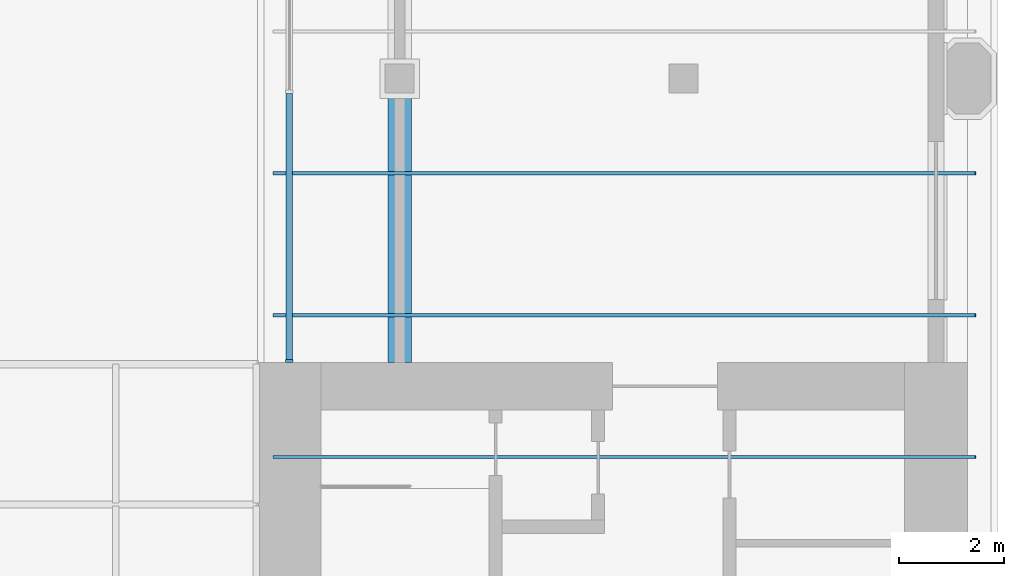
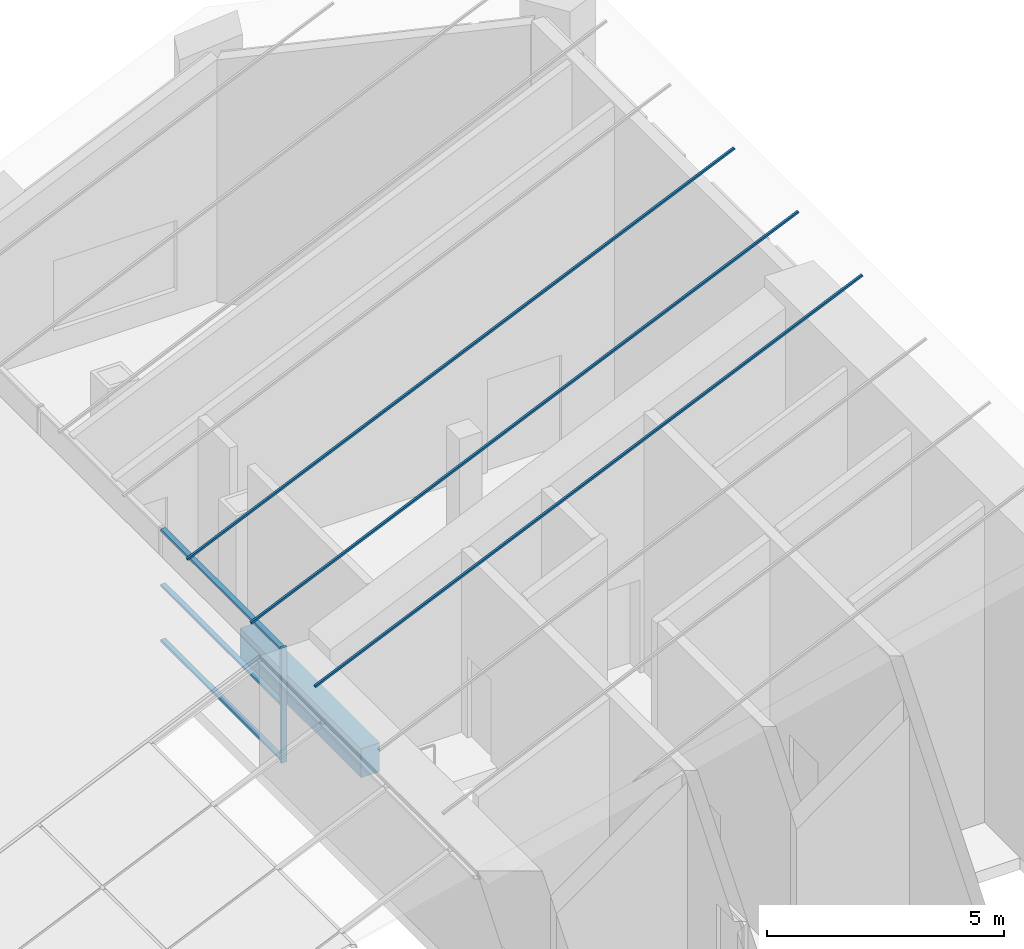
# One storey, part 4 of 10: 7 members, 1 beam, 1 element without a shape of its own.
"""IFC4 building model written with IfcOpenShell, lengths in metres."""

from ifc_helpers import new_model, si_unit, direction, frame, origin, origin_2d, place, context, subcontext, project, spatial, rectangle, extrude, material, material_profile, profile_set, type_object, element, aggregate, save


model = new_model("IFC4")

# Units and contexts
model_context = context("Model", 3, precision=1e-05, world=origin(), true_north=direction((0.0, 1.0)))
body_context = subcontext(model_context, "Body", "Model", "MODEL_VIEW")
ifc_project = project(units=[si_unit("LENGTHUNIT", "METRE"), si_unit("AREAUNIT", "SQUARE_METRE"), si_unit("VOLUMEUNIT", "CUBIC_METRE"), si_unit("PLANEANGLEUNIT", "RADIAN"), si_unit("MASSUNIT", "GRAM", prefix="KILO")], contexts=[model_context])

# Site, building, storey
site_placement = place(None, origin())
site = spatial("IfcSite", under=ifc_project, at=site_placement, CompositionType="ELEMENT")
building_placement = place(site_placement, origin())
building = spatial("IfcBuilding", under=site, at=building_placement, Name="Tabaq Tower and Sports Hall", CompositionType="ELEMENT")
storey_placement = place(building_placement, frame((0.0, 0.0, 335.199951171875)))
storey = spatial("IfcBuildingStorey", under=building, at=storey_placement, Name="L83", CompositionType="ELEMENT", Elevation=335.199951171875)

# Curtain wall, members
ifc_material_1 = material(Name="Aluminium alloy 6063-T6 framed glazing", Category="aluminium")
curtain_wall_type = type_object("IfcCurtainWallType", Name="CW5 curtain wall", PredefinedType="USERDEFINED", material=ifc_material_1)
curtain_wall_placement = place(storey_placement, origin())
curtain_wall = element("IfcCurtainWall", 1, at=curtain_wall_placement, inside=storey, type_object=curtain_wall_type, Name="Crown riser glazing L83", ObjectType="CROWN GLAZING", PredefinedType="USERDEFINED")
ifc_material_2 = material(Name="Aluminium alloy 6063-T6", Category="aluminium")
ifc_material_profile_1 = material_profile(ifc_material_2, rectangle(XDim=0.139892578125, YDim=0.06005859375, at=origin_2d()), Name="MULLION 140x60")
ifc_profile_set_1 = profile_set([ifc_material_profile_1], Name="Aluminium alloy 6063-T6")
member_type_1 = type_object("IfcMemberType", Name="CW5 mullion 140x60", PredefinedType="MULLION", material=ifc_profile_set_1)
member_1_placement = place(storey_placement, frame((30.300048828125, 32.429931640625, 0.0), z_axis=(0.0, 0.0, 1.0), x_axis=(1.0, 0.0, 0.0)))
member_1 = element("IfcMember", 2, at=member_1_placement, type_object=member_type_1, Name="CW5 mullion 4", PredefinedType="MULLION", context=body_context, shape_type="SweptSolid", body=[
    extrude(rectangle(XDim=0.139892578125, YDim=0.06005859375, at=origin_2d()), origin(), (0.0, 0.0, 1.0), 2.966796875),
])
ifc_material_3 = material(Name="Aluminium alloy 6063-T6", Category="aluminium")
ifc_material_profile_2 = material_profile(ifc_material_3, rectangle(XDim=0.1201171875, YDim=0.06005859375, at=origin_2d()), Name="TRANSOM 120x60")
ifc_profile_set_2 = profile_set([ifc_material_profile_2], Name="Aluminium alloy 6063-T6")
member_type_2 = type_object("IfcMemberType", Name="CW5 transom 120x60", PredefinedType="USERDEFINED", material=ifc_profile_set_2)
member_2_placement = place(storey_placement, frame((30.300048828125, 37.52001953125, 0.06005859375), z_axis=(0.0, -1.0, 0.0), x_axis=(1.0, 0.0, 0.0)))
member_2 = element("IfcMember", 3, at=member_2_placement, type_object=member_type_2, Name="CW5 transom 3.1", ObjectType="TRANSOM", PredefinedType="USERDEFINED", context=body_context, shape_type="SweptSolid", body=[
    extrude(rectangle(XDim=0.1201171875, YDim=0.06005859375, at=origin_2d()), origin(), (0.0, 0.0, 1.0), 5.06005859375),
])
member_3_placement = place(storey_placement, frame((30.300048828125, 37.52001953125, 1.4833984375), z_axis=(0.0, -1.0, 0.0), x_axis=(1.0, 0.0, 0.0)))
member_3 = element("IfcMember", 4, at=member_3_placement, type_object=member_type_2, Name="CW5 transom 3.2", ObjectType="TRANSOM", PredefinedType="USERDEFINED", context=body_context, shape_type="SweptSolid", body=[
    extrude(rectangle(XDim=0.1201171875, YDim=0.06005859375, at=origin_2d()), origin(), (0.0, 0.0, 1.0), 5.06005859375),
])
member_4_placement = place(storey_placement, frame((30.300048828125, 37.52001953125, 2.90673828125), z_axis=(0.0, -1.0, 0.0), x_axis=(1.0, 0.0, 0.0)))
member_4 = element("IfcMember", 5, at=member_4_placement, type_object=member_type_2, Name="CW5 transom 3.3", ObjectType="TRANSOM", PredefinedType="USERDEFINED", context=body_context, shape_type="SweptSolid", body=[
    extrude(rectangle(XDim=0.1201171875, YDim=0.06005859375, at=origin_2d()), origin(), (0.0, 0.0, 1.0), 5.06005859375),
])
aggregate(curtain_wall, [member_1, member_2, member_3, member_4])

# Members
ifc_material_4 = material(Name="Steel S355", Category="steel")
ifc_material_profile_3 = material_profile(ifc_material_4, rectangle(XDim=0.06005859375, YDim=0.050048828125, at=origin_2d()), Name="FL 60x50")
ifc_profile_set_3 = profile_set([ifc_material_profile_3], Name="Steel S355")
member_type_3 = type_object("IfcMemberType", Name="HALL ROOF SEAM RIB FL 60x50", PredefinedType="STRINGER", material=ifc_profile_set_3)
for number, where, z_axis, x_axis, name in (
    (6, (30.0, 30.60009765625, 3.158935546875), (0.913812237748, 0.0, 0.406136915512), (0.0, 1.0, 0.0), "Crown roof seam rib E09"),
    (7, (30.0, 33.300048828125, 3.158935546875), (0.913812237748, 0.0, 0.406136915512), (0.0, 1.0, 0.0), "Crown roof seam rib E10"),
    (8, (30.0, 36.0, 3.158935546875), (0.913812237748, 0.0, 0.406136915512), (0.0, 1.0, 0.0), "Crown roof seam rib E11"),
):
    element("IfcMember", number, at=place(storey_placement, frame(where, z_axis=z_axis, x_axis=x_axis)), inside=storey, type_object=member_type_3, Name=name, PredefinedType="STRINGER", context=body_context, shape_type="SweptSolid", body=[
        extrude(rectangle(XDim=0.06005859375, YDim=0.050048828125, at=origin_2d()), origin(), (0.0, 0.0, 1.0), 14.609130859375),
    ])

# Beam
ifc_material_5 = material(Name="Concrete C40/50", Category="concrete")
ifc_material_profile_4 = material_profile(ifc_material_5, rectangle(XDim=0.449951171875, YDim=0.75, at=origin_2d()), Name="CB 450x750")
ifc_profile_set_4 = profile_set([ifc_material_profile_4], Name="Concrete C40/50")
beam_type = type_object("IfcBeamType", Name="PT CANTILEVER BEAM CB 450x750 C40/50", PredefinedType="BEAM", material=ifc_profile_set_4)
beam_placement = place(storey_placement, frame((32.39990234375, 37.52490234375, -0.675048828125), z_axis=(0.0, -1.0, 0.0), x_axis=(1.0, 0.0, 0.0)))
element("IfcBeam", 9, at=beam_placement, inside=storey, type_object=beam_type, Name="Cantilever Beam L83 N6 span 3", PredefinedType="BEAM", context=body_context, shape_type="SweptSolid", body=[
    extrude(rectangle(XDim=0.449951171875, YDim=0.75, at=origin_2d()), origin(), (0.0, 0.0, 1.0), 5.125),
])

save(model, "model.ifc")
